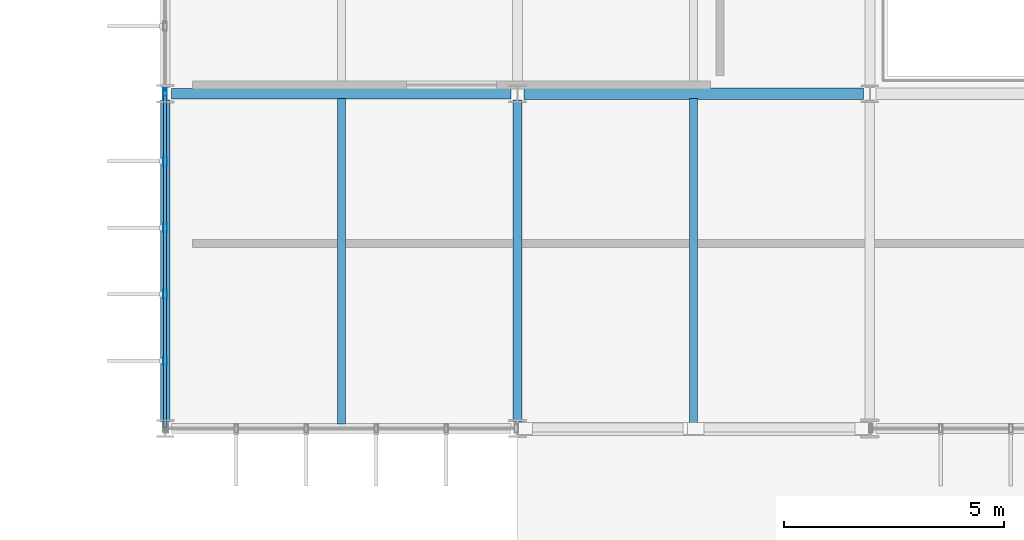
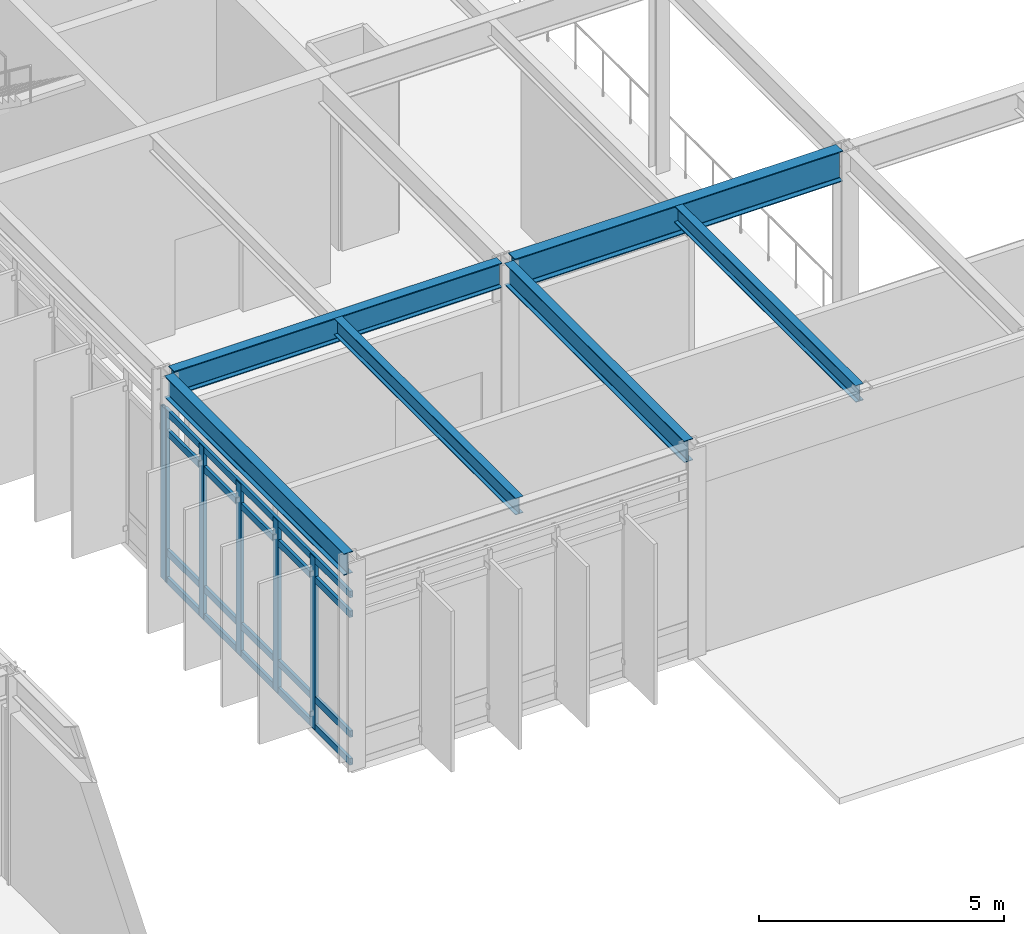
# One storey, part 34 of 94: 10 members, 6 beams, 2 elements without a shape of their own.
"""IFC4 building model written with IfcOpenShell, lengths in metres."""

from ifc_helpers import new_model, si_unit, direction, frame, origin, origin_2d, place, context, subcontext, project, spatial, hollow_rectangle, i_section, extrude, material, material_profile, profile_set, type_object, element, aggregate, save


model = new_model("IFC4")

# Units and contexts
model_context = context("Model", 3, precision=1e-05, world=origin(), true_north=direction((0.0, 1.0)))
body_context = subcontext(model_context, "Body", "Model", "MODEL_VIEW")
ifc_project = project(units=[si_unit("LENGTHUNIT", "METRE"), si_unit("AREAUNIT", "SQUARE_METRE"), si_unit("VOLUMEUNIT", "CUBIC_METRE"), si_unit("PLANEANGLEUNIT", "RADIAN"), si_unit("MASSUNIT", "GRAM", prefix="KILO")], contexts=[model_context])

# Site, building, storey
site_placement = place(None, origin())
site = spatial("IfcSite", under=ifc_project, at=site_placement, CompositionType="ELEMENT")
building_placement = place(site_placement, origin())
building = spatial("IfcBuilding", under=site, at=building_placement, Name="Zulena Civic Courthouse", CompositionType="ELEMENT")
storey_placement = place(building_placement, frame((0.0, 0.0, 5.39990234375)))
storey = spatial("IfcBuildingStorey", under=building, at=storey_placement, Name="L01", CompositionType="ELEMENT", Elevation=5.39990234375)

# Curtain wall, members
ifc_material_1 = material(Name="Double-silver low-E laminated solar-control glass", Category="glass")
curtain_wall_type = type_object("IfcCurtainWallType", Name="CW_7552x4280", PredefinedType="USERDEFINED", material=ifc_material_1)
curtain_wall_1_placement = place(storey_placement, origin())
curtain_wall_1 = element("IfcCurtainWall", 1, at=curtain_wall_1_placement, inside=storey, type_object=curtain_wall_type, Name="cw:V4:L01:0:0", ObjectType="UNITISED CURTAIN WALL", PredefinedType="USERDEFINED")
ifc_material_2 = material(Name="Bronze anodised thermally broken aluminium AA6063-T6", Category="aluminium")
ifc_material_profile_1 = material_profile(ifc_material_2, hollow_rectangle(XDim=0.080078125, YDim=0.199951171875, WallThickness=0.0048828125, at=origin_2d()), Name="CWM200X80X5")
ifc_profile_set_1 = profile_set([ifc_material_profile_1], Name="Bronze anodised thermally broken aluminium AA6063-T6")
member_type_1 = type_object("IfcMemberType", Name="CWMullion_200x80", PredefinedType="MULLION", material=ifc_profile_set_1)
member_1_placement = place(storey_placement, frame((68.0, 16.734375, 0.0), z_axis=(0.0, 0.0, 1.0), x_axis=(1.0, 0.0, 0.0)))
member_1 = element("IfcMember", 2, at=member_1_placement, type_object=member_type_1, Name="cw:V4:L01:0:0:mull:1", PredefinedType="MULLION", context=body_context, shape_type="SweptSolid", body=[
    extrude(hollow_rectangle(XDim=0.080078125, YDim=0.199951171875, WallThickness=0.0048828125, at=origin_2d()), origin(), (0.0, 0.0, 1.0), 4.280029296875),
])
member_2_placement = place(storey_placement, frame((68.0, 18.244873046875, 0.0), z_axis=(0.0, 0.0, 1.0), x_axis=(1.0, 0.0, 0.0)))
member_2 = element("IfcMember", 3, at=member_2_placement, type_object=member_type_1, Name="cw:V4:L01:0:0:mull:2", PredefinedType="MULLION", context=body_context, shape_type="SweptSolid", body=[
    extrude(hollow_rectangle(XDim=0.080078125, YDim=0.199951171875, WallThickness=0.0048828125, at=origin_2d()), origin(), (0.0, 0.0, 1.0), 4.280029296875),
])
member_3_placement = place(storey_placement, frame((68.0, 19.755126953125, 0.0), z_axis=(0.0, 0.0, 1.0), x_axis=(1.0, 0.0, 0.0)))
member_3 = element("IfcMember", 4, at=member_3_placement, type_object=member_type_1, Name="cw:V4:L01:0:0:mull:3", PredefinedType="MULLION", context=body_context, shape_type="SweptSolid", body=[
    extrude(hollow_rectangle(XDim=0.080078125, YDim=0.199951171875, WallThickness=0.0048828125, at=origin_2d()), origin(), (0.0, 0.0, 1.0), 4.280029296875),
])
member_4_placement = place(storey_placement, frame((68.0, 21.265625, 0.0), z_axis=(0.0, 0.0, 1.0), x_axis=(1.0, 0.0, 0.0)))
member_4 = element("IfcMember", 5, at=member_4_placement, type_object=member_type_1, Name="cw:V4:L01:0:0:mull:4", PredefinedType="MULLION", context=body_context, shape_type="SweptSolid", body=[
    extrude(hollow_rectangle(XDim=0.080078125, YDim=0.199951171875, WallThickness=0.0048828125, at=origin_2d()), origin(), (0.0, 0.0, 1.0), 4.280029296875),
])
member_5_placement = place(storey_placement, frame((68.0, 22.77587890625, 0.0), z_axis=(0.0, 0.0, 1.0), x_axis=(1.0, 0.0, 0.0)))
member_5 = element("IfcMember", 6, at=member_5_placement, type_object=member_type_1, Name="cw:V4:L01:0:0:mull:5", PredefinedType="MULLION", context=body_context, shape_type="SweptSolid", body=[
    extrude(hollow_rectangle(XDim=0.080078125, YDim=0.199951171875, WallThickness=0.0048828125, at=origin_2d()), origin(), (0.0, 0.0, 1.0), 4.280029296875),
])

# Curtain wall, member
curtain_wall_2_placement = place(storey_placement, origin())
curtain_wall_2 = element("IfcCurtainWall", 7, at=curtain_wall_2_placement, inside=storey, type_object=curtain_wall_type, Name="cw:V4:L01:0:1", ObjectType="UNITISED CURTAIN WALL", PredefinedType="USERDEFINED")
member_6_placement = place(storey_placement, frame((68.0, 22.823974609375, 0.0), z_axis=(0.0, 0.0, 1.0), x_axis=(1.0, 0.0, 0.0)))
member_6 = element("IfcMember", 8, at=member_6_placement, type_object=member_type_1, Name="cw:V4:L01:0:1:mull:0", PredefinedType="MULLION", context=body_context, shape_type="SweptSolid", body=[
    extrude(hollow_rectangle(XDim=0.080078125, YDim=0.199951171875, WallThickness=0.0048828125, at=origin_2d()), origin(), (0.0, 0.0, 1.0), 4.280029296875),
])
aggregate(curtain_wall_2, [member_6])

# Member
ifc_material_profile_2 = material_profile(ifc_material_2, hollow_rectangle(XDim=0.070068359375, YDim=0.1650390625, WallThickness=0.00390625, at=origin_2d()), Name="CWT165X70X4")
ifc_profile_set_2 = profile_set([ifc_material_profile_2], Name="Bronze anodised thermally broken aluminium AA6063-T6")
member_type_2 = type_object("IfcMemberType", Name="CWTransom_165x70", PredefinedType="USERDEFINED", material=ifc_profile_set_2)
member_7_placement = place(storey_placement, frame((68.0, 15.22412109375, 0.06005859375), z_axis=(0.0, 1.0, 0.0), x_axis=(-1.0, 0.0, 0.0)))
member_7 = element("IfcMember", 9, at=member_7_placement, type_object=member_type_2, Name="cw:V4:L01:0:0:tran:0", ObjectType="TRANSOM", PredefinedType="USERDEFINED", context=body_context, shape_type="SweptSolid", body=[
    extrude(hollow_rectangle(XDim=0.070068359375, YDim=0.1650390625, WallThickness=0.00390625, at=origin_2d()), origin(), (0.0, 0.0, 1.0), 7.5517578125),
])

member_8_placement = place(storey_placement, frame((68.0, 15.22412109375, 0.75), z_axis=(0.0, 1.0, 0.0), x_axis=(-1.0, 0.0, 0.0)))
member_8 = element("IfcMember", 10, at=member_8_placement, type_object=member_type_2, Name="cw:V4:L01:0:0:tran:1", ObjectType="TRANSOM", PredefinedType="USERDEFINED", context=body_context, shape_type="SweptSolid", body=[
    extrude(hollow_rectangle(XDim=0.070068359375, YDim=0.1650390625, WallThickness=0.00390625, at=origin_2d()), origin(), (0.0, 0.0, 1.0), 7.5517578125),
])

member_9_placement = place(storey_placement, frame((68.0, 15.22412109375, 3.72998046875), z_axis=(0.0, 1.0, 0.0), x_axis=(-1.0, 0.0, 0.0)))
member_9 = element("IfcMember", 11, at=member_9_placement, type_object=member_type_2, Name="cw:V4:L01:0:0:tran:2", ObjectType="TRANSOM", PredefinedType="USERDEFINED", context=body_context, shape_type="SweptSolid", body=[
    extrude(hollow_rectangle(XDim=0.070068359375, YDim=0.1650390625, WallThickness=0.00390625, at=origin_2d()), origin(), (0.0, 0.0, 1.0), 7.5517578125),
])

member_10_placement = place(storey_placement, frame((68.0, 15.22412109375, 4.22021484375), z_axis=(0.0, 1.0, 0.0), x_axis=(-1.0, 0.0, 0.0)))
member_10 = element("IfcMember", 12, at=member_10_placement, type_object=member_type_2, Name="cw:V4:L01:0:0:tran:3", ObjectType="TRANSOM", PredefinedType="USERDEFINED", context=body_context, shape_type="SweptSolid", body=[
    extrude(hollow_rectangle(XDim=0.070068359375, YDim=0.1650390625, WallThickness=0.00390625, at=origin_2d()), origin(), (0.0, 0.0, 1.0), 7.5517578125),
])

aggregate(curtain_wall_1, [member_1, member_2, member_3, member_4, member_5, member_7, member_8, member_9, member_10])

# Beams
ifc_material_3 = material(Name="Steel ASTM A992 Grade 50", Category="steel")
ifc_material_profile_3 = material_profile(ifc_material_3, i_section(OverallWidth=0.26708984375, OverallDepth=0.761962890625, WebThickness=0.014404296875, FlangeThickness=0.021484375, FilletRadius=0.0166015625, at=origin_2d()), Name="W30X116")
ifc_profile_set_3 = profile_set([ifc_material_profile_3], Name="Steel ASTM A992 Grade 50")
beam_type_1 = type_object("IfcBeamType", Name="Girder_W30X116", PredefinedType="BEAM", material=ifc_profile_set_3)
beam_1_placement = place(storey_placement, frame((76.14501953125, 22.800048828125, 4.80419921875), z_axis=(1.0, 0.0, 0.0), x_axis=(0.0, 1.0, 0.0)))
element("IfcBeam", 13, at=beam_1_placement, inside=storey, type_object=beam_type_1, Name="beam:X:V4:L01:22.8:76.0_84.0", PredefinedType="BEAM", context=body_context, shape_type="SweptSolid", body=[
    extrude(i_section(OverallWidth=0.26708984375, OverallDepth=0.761962890625, WebThickness=0.014404296875, FlangeThickness=0.021484375, FilletRadius=0.0166015625, at=origin_2d()), origin(), (0.0, 0.0, 1.0), 7.7099609375),
])
ifc_material_profile_4 = material_profile(ifc_material_3, i_section(OverallWidth=0.180908203125, OverallDepth=0.4169921875, WebThickness=0.010986328125, FlangeThickness=0.018310546875, FilletRadius=0.01025390625, at=origin_2d()), Name="W16X57")
ifc_profile_set_4 = profile_set([ifc_material_profile_4], Name="Steel ASTM A992 Grade 50")
beam_type_2 = type_object("IfcBeamType", Name="Joist_W16X57", PredefinedType="JOIST", material=ifc_profile_set_4)
for number, where, z_axis, x_axis, name in (
    (14, (72.0, 15.304931640625, 4.9765625), (0.0, 1.0, 0.0), (-1.0, 0.0, 0.0), "joist:V4:L01:72.00:15.2_22.8"),
    (15, (80.0, 15.304931640625, 4.9765625), (0.0, 1.0, 0.0), (-1.0, 0.0, 0.0), "joist:V4:L01:80.00:15.2_22.8"),
):
    element("IfcBeam", number, at=place(storey_placement, frame(where, z_axis=z_axis, x_axis=x_axis)), inside=storey, type_object=beam_type_2, Name=name, PredefinedType="JOIST", context=body_context, shape_type="SweptSolid", body=[
        extrude(i_section(OverallWidth=0.180908203125, OverallDepth=0.4169921875, WebThickness=0.010986328125, FlangeThickness=0.018310546875, FilletRadius=0.01025390625, at=origin_2d()), origin(), (0.0, 0.0, 1.0), 7.39013671875),
    ])
ifc_material_profile_5 = material_profile(ifc_material_3, i_section(OverallWidth=0.2099609375, OverallDepth=0.537109375, WebThickness=0.010986328125, FlangeThickness=0.017333984375, FilletRadius=0.0126953125, at=origin_2d()), Name="W21X68")
ifc_profile_set_5 = profile_set([ifc_material_profile_5], Name="Steel ASTM A992 Grade 50")
beam_type_3 = type_object("IfcBeamType", Name="Spandrel_W21X68", PredefinedType="SPANDREL", material=ifc_profile_set_5)
for number, where, z_axis, x_axis, name in (
    (16, (68.0, 15.344970703125, 4.91650390625), (0.0, 1.0, 0.0), (-1.0, 0.0, 0.0), "beam:Y:V4:L01:68.0:15.2_22.8"),
    (17, (76.0, 15.344970703125, 4.91650390625), (0.0, 1.0, 0.0), (-1.0, 0.0, 0.0), "beam:Y:V4:L01:76.0:15.2_22.8"),
):
    element("IfcBeam", number, at=place(storey_placement, frame(where, z_axis=z_axis, x_axis=x_axis)), inside=storey, type_object=beam_type_3, Name=name, PredefinedType="SPANDREL", context=body_context, shape_type="SweptSolid", body=[
        extrude(i_section(OverallWidth=0.2099609375, OverallDepth=0.537109375, WebThickness=0.010986328125, FlangeThickness=0.017333984375, FilletRadius=0.0126953125, at=origin_2d()), origin(), (0.0, 0.0, 1.0), 7.31005859375),
    ])
ifc_material_profile_6 = material_profile(ifc_material_3, i_section(OverallWidth=0.22998046875, OverallDepth=0.616943359375, WebThickness=0.01318359375, FlangeThickness=0.022216796875, FilletRadius=0.0126953125, at=origin_2d()), Name="W24X94")
ifc_profile_set_6 = profile_set([ifc_material_profile_6], Name="Steel ASTM A992 Grade 50")
beam_type_4 = type_object("IfcBeamType", Name="Spandrel_W24X94", PredefinedType="SPANDREL", material=ifc_profile_set_6)
beam_2_placement = place(storey_placement, frame((68.14501953125, 22.800048828125, 4.876708984375), z_axis=(1.0, 0.0, 0.0), x_axis=(0.0, 1.0, 0.0)))
element("IfcBeam", 18, at=beam_2_placement, inside=storey, type_object=beam_type_4, Name="beam:X:V4:L01:22.8:68.0_76.0", PredefinedType="SPANDREL", context=body_context, shape_type="SweptSolid", body=[
    extrude(i_section(OverallWidth=0.22998046875, OverallDepth=0.616943359375, WebThickness=0.01318359375, FlangeThickness=0.022216796875, FilletRadius=0.0126953125, at=origin_2d()), origin(), (0.0, 0.0, 1.0), 7.7099609375),
])

save(model, "model.ifc")
